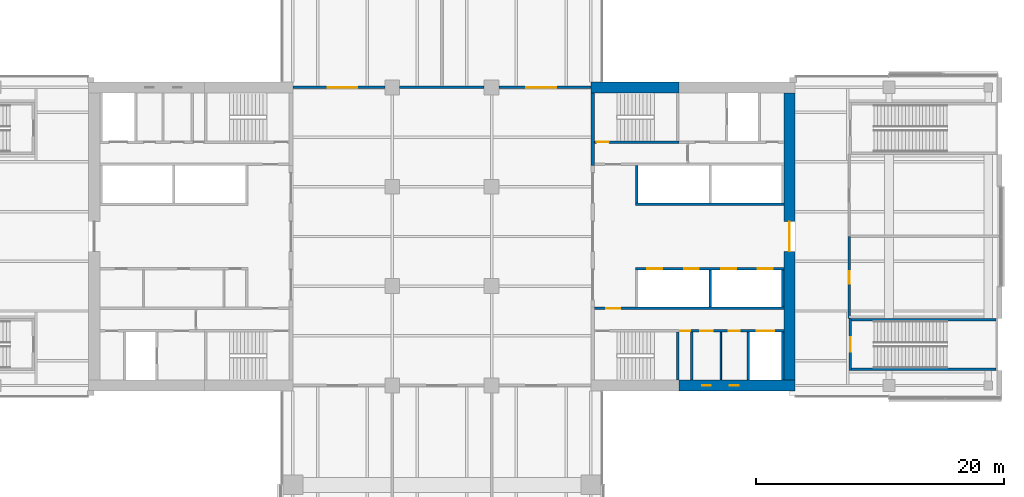
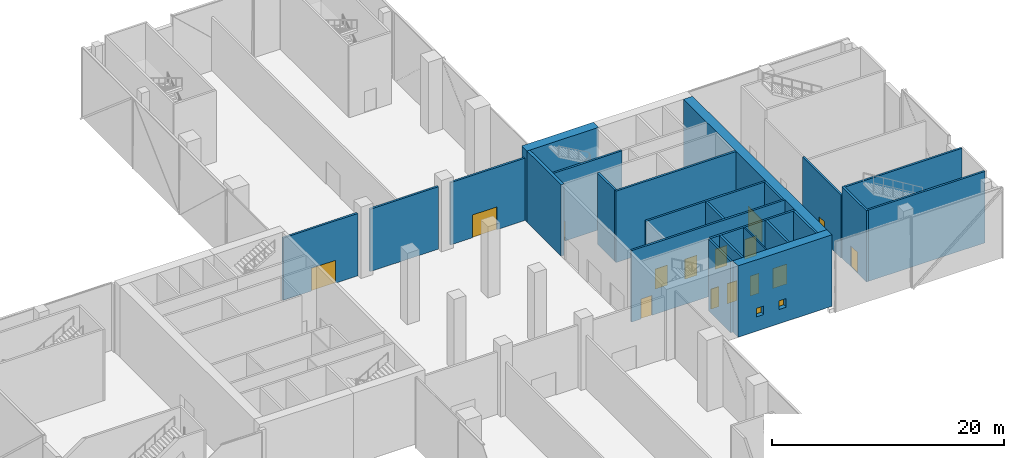
# One storey, part 16 of 25: 24 walls, 15 doors, 2 windows, 17 openings.
"""IFC4 building model written with IfcOpenShell, lengths in metres."""

from ifc_helpers import new_model, si_unit, direction, frame, frame_2d, origin, place, context, subcontext, project, spatial, rectangle, extrude, material, layer, layer_set, constituent, constituent_set, type_object, element, fill, save


model = new_model("IFC4")

# Units and contexts
model_context = context("Model", 3, precision=1e-05, world=origin(), true_north=direction((0.0, 1.0)))
body_context = subcontext(model_context, "Body", "Model", "MODEL_VIEW")
ifc_project = project(units=[si_unit("LENGTHUNIT", "METRE"), si_unit("AREAUNIT", "SQUARE_METRE"), si_unit("VOLUMEUNIT", "CUBIC_METRE"), si_unit("PLANEANGLEUNIT", "RADIAN"), si_unit("MASSUNIT", "GRAM", prefix="KILO")], contexts=[model_context])

# Site, building, storey
site_placement = place(None, origin())
site = spatial("IfcSite", under=ifc_project, at=site_placement, CompositionType="ELEMENT")
building_placement = place(site_placement, origin())
building = spatial("IfcBuilding", under=site, at=building_placement, Name="Crosswind Convention Tower", CompositionType="ELEMENT")
storey_placement = place(building_placement, frame((0.0, 0.0, 17.5)))
storey = spatial("IfcBuildingStorey", under=building, at=storey_placement, Name="L02", CompositionType="ELEMENT", Elevation=17.5)

# Wall
ifc_material_1 = material(Name="Concrete blockwork", Category="masonry")
ifc_layer_1 = layer(ifc_material_1, 0.199951171875)
ifc_layer_set_1 = layer_set([ifc_layer_1], Name="Blockwork partition wall 200")
wall_type_1 = type_object("IfcWallType", Name="Blockwork partition wall 200", PredefinedType="PARTITIONING", material=ifc_layer_set_1)
wall_1_placement = place(storey_placement, frame((145.10009765625, 88.449951171875, 0.0), z_axis=(0.0, 0.0, 1.0), x_axis=(0.0, 1.0, 0.0)))
element("IfcWall", 1, at=wall_1_placement, inside=storey, type_object=wall_type_1, Name="Wall MRSE E L02", PredefinedType="PARTITIONING", context=body_context, shape_type="SweptSolid", body=[
    extrude(rectangle(XDim=3.85009765625, YDim=0.199951171875, at=frame_2d((1.925048828125, 0.0))), origin(), (0.0, 0.0, 1.0), 7.5),
])

# Wall, opening, door
ifc_material_2 = material(Name="Concrete C60/75", Category="concrete")
ifc_layer_2 = layer(ifc_material_2, 0.89990234375)
ifc_layer_set_2 = layer_set([ifc_layer_2], Name="Concrete C60/75")
wall_type_2 = type_object("IfcWallType", Name="Concrete core wall 900", PredefinedType="SHEAR", material=ifc_layer_set_2)
wall_2_placement = place(storey_placement, frame((153.0, 88.449951171875, 0.0), z_axis=(0.0, 0.0, 1.0), x_axis=(0.0, 1.0, 0.0)))
wall_2 = element("IfcWall", 2, at=wall_2_placement, inside=storey, type_object=wall_type_2, Name="Wall O E L02", PredefinedType="SHEAR", context=body_context, shape_type="SweptSolid", body=[
    extrude(rectangle(XDim=23.10009765625, YDim=0.89990234375, at=frame_2d((11.550048828125, 0.0))), origin(), (0.0, 0.0, 1.0), 7.5),
])
opening_1_placement = place(wall_2_placement, frame((10.35009765625, 0.0, 0.0)))
opening_1 = element("IfcOpeningElement", 3, at=opening_1_placement, cuts=wall_2, Name="Opening D100", PredefinedType="OPENING", context=body_context, shape_type="SweptSolid", body=[
    extrude(rectangle(XDim=2.39990234375, YDim=2.39990234375, at=frame_2d((1.199951171875, 1.199951171875))), frame((0.0, 0.4599609375, 0.0), z_axis=(0.0, -1.0, 0.0), x_axis=(1.0, 0.0, 0.0)), (0.0, 0.0, 1.0), 0.919921875),
])
ifc_material_3 = material(Name="Steel fire door with glazed vision panels", Category="steel")
door_type_1 = type_object("IfcDoorType", Name="Fire-rated double door 2400x2400", OperationType="DOUBLE_DOOR_SINGLE_SWING", PredefinedType="DOOR", material=ifc_material_3)
door_1_placement = place(opening_1_placement, frame((2.39990234375, 0.0, 0.0), z_axis=(0.0, 0.0, 1.0), x_axis=(-1.0, 0.0, 0.0)))
door_1 = element("IfcDoor", 4, at=door_1_placement, inside=storey, type_object=door_type_1, Name="Lobby outer door L02", ObjectType="D100", OperationType="DOUBLE_DOOR_SINGLE_SWING", OverallHeight=2.39990234375, OverallWidth=2.39990234375, PredefinedType="DOOR", context=body_context, shape_type="SweptSolid", body=[
    extrude(rectangle(XDim=2.39990234375, YDim=2.39990234375, at=frame_2d((1.199951171875, 1.199951171875))), frame((0.0, 0.02490234375, 0.0), z_axis=(0.0, -1.0, 0.0), x_axis=(1.0, 0.0, 0.0)), (0.0, 0.0, 1.0), 0.050048828125),
])
fill(opening_1, door_1)

# Walls
ifc_material_4 = material(Name="Concrete C50/60", Category="concrete")
ifc_layer_3 = layer(ifc_material_4, 0.300048828125)
ifc_layer_set_3 = layer_set([ifc_layer_3], Name="Concrete C50/60")
wall_type_3 = type_object("IfcWallType", Name="Concrete inner core wall 300", PredefinedType="SHEAR", material=ifc_layer_set_3)
wall_3_placement = place(storey_placement, frame((137.14990234375, 105.699951171875, 0.0), z_axis=(0.0, 0.0, 1.0), x_axis=(0.0, 1.0, 0.0)))
element("IfcWall", 5, at=wall_3_placement, inside=storey, type_object=wall_type_3, Name="Wall EP E L02", PredefinedType="SHEAR", context=body_context, shape_type="SweptSolid", body=[
    extrude(rectangle(XDim=5.85009765625, YDim=0.300048828125, at=frame_2d((2.925048828125, 0.0))), origin(), (0.0, 0.0, 1.0), 7.5),
])
ifc_layer_4 = layer(ifc_material_4, 0.199951171875)
ifc_layer_set_4 = layer_set([ifc_layer_4], Name="Concrete C50/60")
wall_type_4 = type_object("IfcWallType", Name="Concrete shaft and stair wall 200", PredefinedType="SHEAR", material=ifc_layer_set_4)
wall_4_placement = place(storey_placement, frame((140.699951171875, 102.699951171875, 0.0), z_axis=(0.0, 0.0, 1.0), x_axis=(0.0, 1.0, 0.0)))
element("IfcWall", 6, at=wall_4_placement, inside=storey, type_object=wall_type_4, Name="Wall RPEND E L02", PredefinedType="SHEAR", context=body_context, shape_type="SweptSolid", body=[
    extrude(rectangle(XDim=3.0, YDim=0.199951171875, at=frame_2d((1.5, 0.0))), origin(), (0.0, 0.0, 1.0), 7.5),
])
wall_5_placement = place(storey_placement, frame((140.60009765625, 102.60009765625, 0.0), z_axis=(0.0, 0.0, 1.0), x_axis=(1.0, 0.0, 0.0)))
element("IfcWall", 7, at=wall_5_placement, inside=storey, type_object=wall_type_4, Name="Wall RPFRONT E L02", PredefinedType="SHEAR", context=body_context, shape_type="SweptSolid", body=[
    extrude(rectangle(XDim=11.949951171875, YDim=0.199951171875, at=frame_2d((5.97509765625, 0.0))), origin(), (0.0, 0.0, 1.0), 7.5),
])
for number, where, z_axis, x_axis, name in (
    (8, (146.60009765625, 94.300048828125, 0.0), (0.0, 0.0, 1.0), (0.0, 1.0, 0.0), "Wall RMSEP E L02"),
    (9, (152.449951171875, 94.300048828125, 0.0), (0.0, 0.0, 1.0), (0.0, 1.0, 0.0), "Wall RMEAST E L02"),
):
    element("IfcWall", number, at=place(storey_placement, frame(where, z_axis=z_axis, x_axis=x_axis)), inside=storey, type_object=wall_type_4, Name=name, PredefinedType="SHEAR", context=body_context, shape_type="SweptSolid", body=[
        extrude(rectangle(XDim=3.0, YDim=0.199951171875, at=frame_2d((1.5, 0.0))), origin(), (0.0, 0.0, 1.0), 7.5),
    ])

# Wall, openings, doors
wall_6_placement = place(storey_placement, frame((140.60009765625, 97.39990234375, 0.0), z_axis=(0.0, 0.0, 1.0), x_axis=(1.0, 0.0, 0.0)))
wall_6 = element("IfcWall", 10, at=wall_6_placement, inside=storey, type_object=wall_type_4, Name="Wall RMFRONT E L02", PredefinedType="SHEAR", context=body_context, shape_type="SweptSolid", body=[
    extrude(rectangle(XDim=11.949951171875, YDim=0.199951171875, at=frame_2d((5.97509765625, 0.0))), origin(), (0.0, 0.0, 1.0), 7.5),
])
opening_2_placement = place(wall_6_placement, frame((0.949951171875, 0.0, 0.0)))
opening_2 = element("IfcOpeningElement", 11, at=opening_2_placement, cuts=wall_6, Name="Opening LD1", PredefinedType="OPENING", context=body_context, shape_type="SweptSolid", body=[
    extrude(rectangle(XDim=1.199951171875, YDim=2.10009765625, at=frame_2d((0.60009765625, 1.050048828125))), frame((0.0, 0.10986328125, 0.0), z_axis=(0.0, -1.0, 0.0), x_axis=(1.0, 0.0, 0.0)), (0.0, 0.0, 1.0), 0.219970703125),
])
opening_3_placement = place(wall_6_placement, frame((3.89990234375, 0.0, 0.0)))
opening_3 = element("IfcOpeningElement", 12, at=opening_3_placement, cuts=wall_6, Name="Opening LD1", PredefinedType="OPENING", context=body_context, shape_type="SweptSolid", body=[
    extrude(rectangle(XDim=1.199951171875, YDim=2.10009765625, at=frame_2d((0.60009765625, 1.050048828125))), frame((0.0, 0.10986328125, 0.0), z_axis=(0.0, -1.0, 0.0), x_axis=(1.0, 0.0, 0.0)), (0.0, 0.0, 1.0), 0.219970703125),
])
opening_4_placement = place(wall_6_placement, frame((6.89990234375, 0.0, 0.0)))
opening_4 = element("IfcOpeningElement", 13, at=opening_4_placement, cuts=wall_6, Name="Opening LD1", PredefinedType="OPENING", context=body_context, shape_type="SweptSolid", body=[
    extrude(rectangle(XDim=1.199951171875, YDim=2.10009765625, at=frame_2d((0.60009765625, 1.050048828125))), frame((0.0, 0.10986328125, 0.0), z_axis=(0.0, -1.0, 0.0), x_axis=(1.0, 0.0, 0.0)), (0.0, 0.0, 1.0), 0.219970703125),
])
opening_5_placement = place(wall_6_placement, frame((9.824951171875, 0.0, 0.0)))
opening_5 = element("IfcOpeningElement", 14, at=opening_5_placement, cuts=wall_6, Name="Opening LD1", PredefinedType="OPENING", context=body_context, shape_type="SweptSolid", body=[
    extrude(rectangle(XDim=1.199951171875, YDim=2.10009765625, at=frame_2d((0.60009765625, 1.050048828125))), frame((0.0, 0.10986328125, 0.0), z_axis=(0.0, -1.0, 0.0), x_axis=(1.0, 0.0, 0.0)), (0.0, 0.0, 1.0), 0.219970703125),
])
ifc_material_5 = material(Name="Stainless steel", Category="steel")
door_type_2 = type_object("IfcDoorType", Name="Lift landing door 1200x2100", OperationType="DOUBLE_DOOR_SLIDING", PredefinedType="DOOR", material=ifc_material_5)
door_2_placement = place(opening_2_placement, origin())
door_2 = element("IfcDoor", 15, at=door_2_placement, inside=storey, type_object=door_type_2, Name="Landing door H1 L02", ObjectType="LD1", OperationType="DOUBLE_DOOR_SLIDING", OverallHeight=2.10009765625, OverallWidth=1.199951171875, PredefinedType="DOOR", context=body_context, shape_type="SweptSolid", body=[
    extrude(rectangle(XDim=1.199951171875, YDim=2.10009765625, at=frame_2d((0.60009765625, 1.050048828125))), frame((0.0, 0.02490234375, 0.0), z_axis=(0.0, -1.0, 0.0), x_axis=(1.0, 0.0, 0.0)), (0.0, 0.0, 1.0), 0.050048828125),
])
fill(opening_2, door_2)
door_3_placement = place(opening_3_placement, origin())
door_3 = element("IfcDoor", 16, at=door_3_placement, inside=storey, type_object=door_type_2, Name="Landing door H2 L02", ObjectType="LD1", OperationType="DOUBLE_DOOR_SLIDING", OverallHeight=2.10009765625, OverallWidth=1.199951171875, PredefinedType="DOOR", context=body_context, shape_type="SweptSolid", body=[
    extrude(rectangle(XDim=1.199951171875, YDim=2.10009765625, at=frame_2d((0.60009765625, 1.050048828125))), frame((0.0, 0.02490234375, 0.0), z_axis=(0.0, -1.0, 0.0), x_axis=(1.0, 0.0, 0.0)), (0.0, 0.0, 1.0), 0.050048828125),
])
fill(opening_3, door_3)
door_4_placement = place(opening_4_placement, origin())
door_4 = element("IfcDoor", 17, at=door_4_placement, inside=storey, type_object=door_type_2, Name="Landing door H3 L02", ObjectType="LD1", OperationType="DOUBLE_DOOR_SLIDING", OverallHeight=2.10009765625, OverallWidth=1.199951171875, PredefinedType="DOOR", context=body_context, shape_type="SweptSolid", body=[
    extrude(rectangle(XDim=1.199951171875, YDim=2.10009765625, at=frame_2d((0.60009765625, 1.050048828125))), frame((0.0, 0.02490234375, 0.0), z_axis=(0.0, -1.0, 0.0), x_axis=(1.0, 0.0, 0.0)), (0.0, 0.0, 1.0), 0.050048828125),
])
fill(opening_4, door_4)
door_5_placement = place(opening_5_placement, origin())
door_5 = element("IfcDoor", 18, at=door_5_placement, inside=storey, type_object=door_type_2, Name="Landing door H4 L02", ObjectType="LD1", OperationType="DOUBLE_DOOR_SLIDING", OverallHeight=2.10009765625, OverallWidth=1.199951171875, PredefinedType="DOOR", context=body_context, shape_type="SweptSolid", body=[
    extrude(rectangle(XDim=1.199951171875, YDim=2.10009765625, at=frame_2d((0.60009765625, 1.050048828125))), frame((0.0, 0.02490234375, 0.0), z_axis=(0.0, -1.0, 0.0), x_axis=(1.0, 0.0, 0.0)), (0.0, 0.0, 1.0), 0.050048828125),
])
fill(opening_5, door_5)

# Wall, opening, door
wall_7_placement = place(storey_placement, frame((137.300048828125, 107.60009765625, 0.0), z_axis=(0.0, 0.0, 1.0), x_axis=(1.0, 0.0, 0.0)))
wall_7 = element("IfcWall", 19, at=wall_7_placement, inside=storey, type_object=wall_type_4, Name="Wall PCW E L02", PredefinedType="SHEAR", context=body_context, shape_type="SweptSolid", body=[
    extrude(rectangle(XDim=6.800048828125, YDim=0.199951171875, at=frame_2d((3.39990234375, 0.0))), origin(), (0.0, 0.0, 1.0), 7.5),
])
opening_6_placement = place(wall_7_placement, frame((0.14990234375, 0.0, 0.0)))
opening_6 = element("IfcOpeningElement", 20, at=opening_6_placement, cuts=wall_7, Name="Opening D103", PredefinedType="OPENING", context=body_context, shape_type="SweptSolid", body=[
    extrude(rectangle(XDim=1.0, YDim=2.10009765625, at=frame_2d((0.5, 1.050048828125))), frame((0.0, 0.10986328125, 0.0), z_axis=(0.0, -1.0, 0.0), x_axis=(1.0, 0.0, 0.0)), (0.0, 0.0, 1.0), 0.219970703125),
])
ifc_material_6 = material(Name="Steel fire door", Category="steel")
door_type_3 = type_object("IfcDoorType", Name="Fire-rated single door 1000x2100", OperationType="NOTDEFINED", PredefinedType="DOOR", material=ifc_material_6)
door_6_placement = place(opening_6_placement, origin())
door_6 = element("IfcDoor", 21, at=door_6_placement, inside=storey, type_object=door_type_3, Name="Stair ST1 door L02", ObjectType="D103", OperationType="SINGLE_SWING_LEFT", OverallHeight=2.10009765625, OverallWidth=1.0, PredefinedType="DOOR", context=body_context, shape_type="SweptSolid", body=[
    extrude(rectangle(XDim=1.0, YDim=2.10009765625, at=frame_2d((0.5, 1.050048828125))), frame((0.0, 0.02490234375, 0.0), z_axis=(0.0, -1.0, 0.0), x_axis=(1.0, 0.0, 0.0)), (0.0, 0.0, 1.0), 0.050048828125),
])
fill(opening_6, door_6)

wall_8_placement = place(storey_placement, frame((137.300048828125, 94.199951171875, 0.0), z_axis=(0.0, 0.0, 1.0), x_axis=(1.0, 0.0, 0.0)))
wall_8 = element("IfcWall", 22, at=wall_8_placement, inside=storey, type_object=wall_type_4, Name="Wall HM E L02", PredefinedType="SHEAR", context=body_context, shape_type="SweptSolid", body=[
    extrude(rectangle(XDim=15.25, YDim=0.199951171875, at=frame_2d((7.625, 0.0))), origin(), (0.0, 0.0, 1.0), 7.5),
])
opening_7_placement = place(wall_8_placement, frame((0.949951171875, 0.0, 0.0)))
opening_7 = element("IfcOpeningElement", 23, at=opening_7_placement, cuts=wall_8, Name="Opening D104", PredefinedType="OPENING", context=body_context, shape_type="SweptSolid", body=[
    extrude(rectangle(XDim=1.10009765625, YDim=2.10009765625, at=frame_2d((0.550048828125, 1.050048828125))), frame((0.0, 0.10986328125, 0.0), z_axis=(0.0, -1.0, 0.0), x_axis=(1.0, 0.0, 0.0)), (0.0, 0.0, 1.0), 0.219970703125),
])
door_type_4 = type_object("IfcDoorType", Name="Fire-rated single door 1100x2100", OperationType="NOTDEFINED", PredefinedType="DOOR", material=ifc_material_6)
door_7_placement = place(opening_7_placement, frame((1.10009765625, 0.0, 0.0), z_axis=(0.0, 0.0, 1.0), x_axis=(-1.0, 0.0, 0.0)))
door_7 = element("IfcDoor", 24, at=door_7_placement, inside=storey, type_object=door_type_4, Name="Corridor door L02", ObjectType="D104", OperationType="SINGLE_SWING_RIGHT", OverallHeight=2.10009765625, OverallWidth=1.10009765625, PredefinedType="DOOR", context=body_context, shape_type="SweptSolid", body=[
    extrude(rectangle(XDim=1.10009765625, YDim=2.10009765625, at=frame_2d((0.550048828125, 1.050048828125))), frame((0.0, 0.02490234375, 0.0), z_axis=(0.0, -1.0, 0.0), x_axis=(1.0, 0.0, 0.0)), (0.0, 0.0, 1.0), 0.050048828125),
])
fill(opening_7, door_7)

# Walls
for number, where, z_axis, x_axis, name in (
    (25, (144.0, 88.449951171875, 0.0), (0.0, 0.0, 1.0), (0.0, 1.0, 0.0), "Wall MSE E L02"),
    (26, (149.64990234375, 88.449951171875, 0.0), (0.0, 0.0, 1.0), (0.0, 1.0, 0.0), "Wall MFSW E L02"),
    (27, (152.449951171875, 88.449951171875, 0.0), (0.0, 0.0, 1.0), (0.0, 1.0, 0.0), "Wall MFSE E L02"),
):
    element("IfcWall", number, at=place(storey_placement, frame(where, z_axis=z_axis, x_axis=x_axis)), inside=storey, type_object=wall_type_4, Name=name, PredefinedType="SHEAR", context=body_context, shape_type="SweptSolid", body=[
        extrude(rectangle(XDim=3.85009765625, YDim=0.199951171875, at=frame_2d((1.925048828125, 0.0))), origin(), (0.0, 0.0, 1.0), 7.5),
    ])

# Wall, openings, doors
wall_9_placement = place(storey_placement, frame((144.10009765625, 92.39990234375, 0.0), z_axis=(0.0, 0.0, 1.0), x_axis=(1.0, 0.0, 0.0)))
wall_9 = element("IfcWall", 28, at=wall_9_placement, inside=storey, type_object=wall_type_4, Name="Wall MCX E L02", PredefinedType="SHEAR", context=body_context, shape_type="SweptSolid", body=[
    extrude(rectangle(XDim=8.449951171875, YDim=0.199951171875, at=frame_2d((4.22509765625, 0.0))), origin(), (0.0, 0.0, 1.0), 7.5),
])
opening_8_placement = place(wall_9_placement, frame((0.10009765625, 0.0, 0.0)))
opening_8 = element("IfcOpeningElement", 29, at=opening_8_placement, cuts=wall_9, Name="Opening D105", PredefinedType="OPENING", context=body_context, shape_type="SweptSolid", body=[
    extrude(rectangle(XDim=0.800048828125, YDim=2.10009765625, at=frame_2d((0.39990234375, 1.050048828125))), frame((0.0, 0.10986328125, 0.0), z_axis=(0.0, -1.0, 0.0), x_axis=(1.0, 0.0, 0.0)), (0.0, 0.0, 1.0), 0.219970703125),
])
opening_9_placement = place(wall_9_placement, frame((1.69970703125, 0.0, 0.0)))
opening_9 = element("IfcOpeningElement", 30, at=opening_9_placement, cuts=wall_9, Name="Opening D103", PredefinedType="OPENING", context=body_context, shape_type="SweptSolid", body=[
    extrude(rectangle(XDim=1.0, YDim=2.10009765625, at=frame_2d((0.5, 1.050048828125))), frame((0.0, 0.10986328125, 0.0), z_axis=(0.0, -1.0, 0.0), x_axis=(1.0, 0.0, 0.0)), (0.0, 0.0, 1.0), 0.219970703125),
])
opening_10_placement = place(wall_9_placement, frame((3.9873046875, 0.0, 0.0)))
opening_10 = element("IfcOpeningElement", 31, at=opening_10_placement, cuts=wall_9, Name="Opening D106", PredefinedType="OPENING", context=body_context, shape_type="SweptSolid", body=[
    extrude(rectangle(XDim=0.89990234375, YDim=2.10009765625, at=frame_2d((0.449951171875, 1.050048828125))), frame((0.0, 0.10986328125, 0.0), z_axis=(0.0, -1.0, 0.0), x_axis=(1.0, 0.0, 0.0)), (0.0, 0.0, 1.0), 0.219970703125),
])
opening_11_placement = place(wall_9_placement, frame((6.25, 0.0, 0.0)))
opening_11 = element("IfcOpeningElement", 32, at=opening_11_placement, cuts=wall_9, Name="Opening LD2", PredefinedType="OPENING", context=body_context, shape_type="SweptSolid", body=[
    extrude(rectangle(XDim=1.39990234375, YDim=2.10009765625, at=frame_2d((0.699951171875, 1.050048828125))), frame((0.0, 0.10986328125, 0.0), z_axis=(0.0, -1.0, 0.0), x_axis=(1.0, 0.0, 0.0)), (0.0, 0.0, 1.0), 0.219970703125),
])
door_8_placement = place(opening_9_placement, frame((1.0, 0.0, 0.0), z_axis=(0.0, 0.0, 1.0), x_axis=(-1.0, 0.0, 0.0)))
door_8 = element("IfcDoor", 33, at=door_8_placement, inside=storey, type_object=door_type_3, Name="Door to accessible wc L02", ObjectType="D103", OperationType="SINGLE_SWING_LEFT", OverallHeight=2.10009765625, OverallWidth=1.0, PredefinedType="DOOR", context=body_context, shape_type="SweptSolid", body=[
    extrude(rectangle(XDim=1.0, YDim=2.10009765625, at=frame_2d((0.5, 1.050048828125))), frame((0.0, 0.02490234375, 0.0), z_axis=(0.0, -1.0, 0.0), x_axis=(1.0, 0.0, 0.0)), (0.0, 0.0, 1.0), 0.050048828125),
])
fill(opening_9, door_8)
door_type_5 = type_object("IfcDoorType", Name="Lift landing door 1400x2100", OperationType="DOUBLE_DOOR_SLIDING", PredefinedType="DOOR", material=ifc_material_5)
door_9_placement = place(opening_11_placement, origin())
door_9 = element("IfcDoor", 34, at=door_9_placement, inside=storey, type_object=door_type_5, Name="Landing door SV1 L02", ObjectType="LD2", OperationType="DOUBLE_DOOR_SLIDING", OverallHeight=2.10009765625, OverallWidth=1.39990234375, PredefinedType="DOOR", context=body_context, shape_type="SweptSolid", body=[
    extrude(rectangle(XDim=1.39990234375, YDim=2.10009765625, at=frame_2d((0.699951171875, 1.050048828125))), frame((0.0, 0.02490234375, 0.0), z_axis=(0.0, -1.0, 0.0), x_axis=(1.0, 0.0, 0.0)), (0.0, 0.0, 1.0), 0.050048828125),
])
fill(opening_11, door_9)
door_type_6 = type_object("IfcDoorType", Name="Riser access door 800x2100", OperationType="NOTDEFINED", PredefinedType="DOOR", material=ifc_material_6)
door_10_placement = place(opening_8_placement, frame((0.800048828125, 0.0, 0.0), z_axis=(0.0, 0.0, 1.0), x_axis=(-1.0, 0.0, 0.0)))
door_10 = element("IfcDoor", 35, at=door_10_placement, inside=storey, type_object=door_type_6, Name="Riser door L02", ObjectType="D105", OperationType="SINGLE_SWING_LEFT", OverallHeight=2.10009765625, OverallWidth=0.800048828125, PredefinedType="DOOR", context=body_context, shape_type="SweptSolid", body=[
    extrude(rectangle(XDim=0.800048828125, YDim=2.10009765625, at=frame_2d((0.39990234375, 1.050048828125))), frame((0.0, 0.02490234375, 0.0), z_axis=(0.0, -1.0, 0.0), x_axis=(1.0, 0.0, 0.0)), (0.0, 0.0, 1.0), 0.050048828125),
])
fill(opening_8, door_10)
ifc_material_7 = material(Name="Timber door", Category="wood")
door_type_7 = type_object("IfcDoorType", Name="Single leaf door 900x2100", OperationType="NOTDEFINED", PredefinedType="DOOR", material=ifc_material_7)
door_11_placement = place(opening_10_placement, frame((0.89990234375, 0.0, 0.0), z_axis=(0.0, 0.0, 1.0), x_axis=(-1.0, 0.0, 0.0)))
door_11 = element("IfcDoor", 36, at=door_11_placement, inside=storey, type_object=door_type_7, Name="Door to wc L02", ObjectType="D106", OperationType="SINGLE_SWING_LEFT", OverallHeight=2.10009765625, OverallWidth=0.89990234375, PredefinedType="DOOR", context=body_context, shape_type="SweptSolid", body=[
    extrude(rectangle(XDim=0.89990234375, YDim=2.10009765625, at=frame_2d((0.449951171875, 1.050048828125))), frame((0.0, 0.02490234375, 0.0), z_axis=(0.0, -1.0, 0.0), x_axis=(1.0, 0.0, 0.0)), (0.0, 0.0, 1.0), 0.050048828125),
])
fill(opening_10, door_11)

# Wall
ifc_material_8 = material(Name="Gypsum plasterboard partition", Category="gypsum")
ifc_layer_5 = layer(ifc_material_8, 0.125)
ifc_layer_set_5 = layer_set([ifc_layer_5], Name="Drywall partition wall 125")
wall_type_5 = type_object("IfcWallType", Name="Drywall partition wall 125", PredefinedType="PARTITIONING", material=ifc_layer_set_5)
wall_10_placement = place(storey_placement, frame((147.4619140625, 88.449951171875, 0.0), z_axis=(0.0, 0.0, 1.0), x_axis=(0.0, 1.0, 0.0)))
element("IfcWall", 37, at=wall_10_placement, inside=storey, type_object=wall_type_5, Name="Wall MWP1 E L02", PredefinedType="PARTITIONING", context=body_context, shape_type="SweptSolid", body=[
    extrude(rectangle(XDim=3.85009765625, YDim=0.125, at=frame_2d((1.925048828125, 0.0))), origin(), (0.0, 0.0, 1.0), 7.5),
])

# Wall, opening, door
ifc_material_9 = material(Name="Double plasterboard partition", Category="gypsum")
ifc_layer_6 = layer(ifc_material_9, 0.199951171875)
ifc_layer_set_6 = layer_set([ifc_layer_6], Name="HALL WALL 200")
wall_type_6 = type_object("IfcWallType", Name="HALL WALL 200", PredefinedType="PARTITIONING", material=ifc_layer_set_6)
wall_11_placement = place(storey_placement, frame((113.0, 112.0, 0.0), z_axis=(0.0, 0.0, 1.0), x_axis=(1.0, 0.0, 0.0)))
wall_11 = element("IfcWall", 38, at=wall_11_placement, inside=storey, type_object=wall_type_6, Name="Hall Wall 17", PredefinedType="PARTITIONING", context=body_context, shape_type="SweptSolid", body=[
    extrude(rectangle(XDim=7.39990234375, YDim=0.199951171875, at=frame_2d((3.699951171875, 0.0))), origin(), (0.0, 0.0, 1.0), 6.551025390625),
])
opening_12_placement = place(wall_11_placement, frame((2.800048828125, 0.0, 0.0)))
opening_12 = element("IfcOpeningElement", 39, at=opening_12_placement, cuts=wall_11, Name="Opening 02.001", PredefinedType="OPENING", context=body_context, shape_type="SweptSolid", body=[
    extrude(rectangle(XDim=2.39990234375, YDim=2.39990234375, at=frame_2d((1.199951171875, 1.199951171875))), frame((0.0, 0.10986328125, 0.0), z_axis=(0.0, -1.0, 0.0), x_axis=(1.0, 0.0, 0.0)), (0.0, 0.0, 1.0), 0.219970703125),
])
ifc_material_10 = material(Name="Timber fire door", Category="wood")
door_type_8 = type_object("IfcDoorType", Name="BALLROOM DOUBLE DOOR 2400X2400", OperationType="DOUBLE_DOOR_SINGLE_SWING", PredefinedType="DOOR", material=ifc_material_10)
door_12_placement = place(opening_12_placement, origin())
door_12 = element("IfcDoor", 40, at=door_12_placement, inside=storey, type_object=door_type_8, Name="Door 02.001", ObjectType="D8", OperationType="DOUBLE_DOOR_SINGLE_SWING", OverallHeight=2.39990234375, OverallWidth=2.39990234375, PredefinedType="DOOR", context=body_context, shape_type="SweptSolid", body=[
    extrude(rectangle(XDim=2.39990234375, YDim=2.39990234375, at=frame_2d((1.199951171875, 1.199951171875))), frame((0.0, 0.02490234375, 0.0), z_axis=(0.0, -1.0, 0.0), x_axis=(1.0, 0.0, 0.0)), (0.0, 0.0, 1.0), 0.050048828125),
])
fill(opening_12, door_12)

# Wall
wall_12_placement = place(storey_placement, frame((121.60009765625, 112.0, 0.0), z_axis=(0.0, 0.0, 1.0), x_axis=(1.0, 0.0, 0.0)))
element("IfcWall", 41, at=wall_12_placement, inside=storey, type_object=wall_type_6, Name="Hall Wall 18", PredefinedType="PARTITIONING", context=body_context, shape_type="SweptSolid", body=[
    extrude(rectangle(XDim=6.7998046875, YDim=0.199951171875, at=frame_2d((3.39990234375, 0.0))), origin(), (0.0, 0.0, 1.0), 6.555419921875),
])

# Wall, opening, door
wall_13_placement = place(storey_placement, frame((129.60009765625, 112.0, 0.0), z_axis=(0.0, 0.0, 1.0), x_axis=(1.0, 0.0, 0.0)))
wall_13 = element("IfcWall", 42, at=wall_13_placement, inside=storey, type_object=wall_type_6, Name="Hall Wall 19", PredefinedType="PARTITIONING", context=body_context, shape_type="SweptSolid", body=[
    extrude(rectangle(XDim=7.39990234375, YDim=0.199951171875, at=frame_2d((3.699951171875, 0.0))), origin(), (0.0, 0.0, 1.0), 6.551025390625),
])
opening_13_placement = place(wall_13_placement, frame((2.199951171875, 0.0, 0.0)))
opening_13 = element("IfcOpeningElement", 43, at=opening_13_placement, cuts=wall_13, Name="Opening 02.002", PredefinedType="OPENING", context=body_context, shape_type="SweptSolid", body=[
    extrude(rectangle(XDim=2.39990234375, YDim=2.39990234375, at=frame_2d((1.199951171875, 1.199951171875))), frame((0.0, 0.10986328125, 0.0), z_axis=(0.0, -1.0, 0.0), x_axis=(1.0, 0.0, 0.0)), (0.0, 0.0, 1.0), 0.219970703125),
])
door_13_placement = place(opening_13_placement, origin())
door_13 = element("IfcDoor", 44, at=door_13_placement, inside=storey, type_object=door_type_8, Name="Door 02.002", ObjectType="D8", OperationType="DOUBLE_DOOR_SINGLE_SWING", OverallHeight=2.39990234375, OverallWidth=2.39990234375, PredefinedType="DOOR", context=body_context, shape_type="SweptSolid", body=[
    extrude(rectangle(XDim=2.39990234375, YDim=2.39990234375, at=frame_2d((1.199951171875, 1.199951171875))), frame((0.0, 0.02490234375, 0.0), z_axis=(0.0, -1.0, 0.0), x_axis=(1.0, 0.0, 0.0)), (0.0, 0.0, 1.0), 0.050048828125),
])
fill(opening_13, door_13)

wall_14_placement = place(storey_placement, frame((157.800048828125, 93.39990234375, 0.0), z_axis=(0.0, 0.0, 1.0), x_axis=(0.0, 1.0, 0.0)))
wall_14 = element("IfcWall", 45, at=wall_14_placement, inside=storey, type_object=wall_type_6, Name="Hall Wall 39", PredefinedType="PARTITIONING", context=body_context, shape_type="SweptSolid", body=[
    extrude(rectangle(XDim=6.60009765625, YDim=0.199951171875, at=frame_2d((3.300048828125, 0.0))), origin(), (0.0, 0.0, 1.0), 6.636474609375),
])
opening_14_placement = place(wall_14_placement, frame((2.800048828125, 0.0, 0.0)))
opening_14 = element("IfcOpeningElement", 46, at=opening_14_placement, cuts=wall_14, Name="Opening 02.007", PredefinedType="OPENING", context=body_context, shape_type="SweptSolid", body=[
    extrude(rectangle(XDim=1.0, YDim=2.10009765625, at=frame_2d((0.5, 1.050048828125))), frame((0.0, 0.10986328125, 0.0), z_axis=(0.0, -1.0, 0.0), x_axis=(1.0, 0.0, 0.0)), (0.0, 0.0, 1.0), 0.219970703125),
])
door_type_9 = type_object("IfcDoorType", Name="MEETING ROOM DOOR 1000X2100", OperationType="NOTDEFINED", PredefinedType="DOOR", material=ifc_material_10)
door_14_placement = place(opening_14_placement, origin())
door_14 = element("IfcDoor", 47, at=door_14_placement, inside=storey, type_object=door_type_9, Name="Door 02.007", ObjectType="D13", OperationType="SINGLE_SWING_RIGHT", OverallHeight=2.10009765625, OverallWidth=1.0, PredefinedType="DOOR", context=body_context, shape_type="SweptSolid", body=[
    extrude(rectangle(XDim=1.0, YDim=2.10009765625, at=frame_2d((0.5, 1.050048828125))), frame((0.0, 0.02490234375, 0.0), z_axis=(0.0, -1.0, 0.0), x_axis=(1.0, 0.0, 0.0)), (0.0, 0.0, 1.0), 0.050048828125),
])
fill(opening_14, door_14)

# Walls
ifc_material_11 = material(Name="Concrete C40/50", Category="concrete")
ifc_layer_7 = layer(ifc_material_11, 0.199951171875)
ifc_layer_set_7 = layer_set([ifc_layer_7], Name="Concrete C40/50")
wall_type_7 = type_object("IfcWallType", Name="STAIR ENCLOSURE WALL 200", PredefinedType="SOLIDWALL", material=ifc_layer_set_7)
for number, where, z_axis, x_axis, name in (
    (48, (158.0, 89.300048828125, 0.0), (0.0, 0.0, 1.0), (1.0, 0.0, 0.0), "Stair Enclosure Wall 9"),
    (49, (158.0, 93.300048828125, 0.0), (0.0, 0.0, 1.0), (1.0, 0.0, 0.0), "Stair Enclosure Wall 11"),
):
    element("IfcWall", number, at=place(storey_placement, frame(where, z_axis=z_axis, x_axis=x_axis)), inside=storey, type_object=wall_type_7, Name=name, PredefinedType="SOLIDWALL", context=body_context, shape_type="SweptSolid", body=[
        extrude(rectangle(XDim=11.60009765625, YDim=0.199951171875, at=frame_2d((5.800048828125, 0.0))), origin(), (0.0, 0.0, 1.0), 7.5),
    ])

# Wall, opening, door
wall_15_placement = place(storey_placement, frame((157.89990234375, 89.199951171875, 0.0), z_axis=(0.0, 0.0, 1.0), x_axis=(0.0, 1.0, 0.0)))
wall_15 = element("IfcWall", 50, at=wall_15_placement, inside=storey, type_object=wall_type_7, Name="Stair Enclosure Wall 41", PredefinedType="SOLIDWALL", context=body_context, shape_type="SweptSolid", body=[
    extrude(rectangle(XDim=4.199951171875, YDim=0.199951171875, at=frame_2d((2.10009765625, 0.0))), origin(), (0.0, 0.0, 1.0), 7.5),
])
opening_15_placement = place(wall_15_placement, frame((1.5, 0.0, 0.0)))
opening_15 = element("IfcOpeningElement", 51, at=opening_15_placement, cuts=wall_15, Name="Opening 02.009", PredefinedType="OPENING", context=body_context, shape_type="SweptSolid", body=[
    extrude(rectangle(XDim=1.199951171875, YDim=2.199951171875, at=frame_2d((0.60009765625, 1.10009765625))), frame((0.0, 0.10986328125, 0.0), z_axis=(0.0, -1.0, 0.0), x_axis=(1.0, 0.0, 0.0)), (0.0, 0.0, 1.0), 0.219970703125),
])
door_type_10 = type_object("IfcDoorType", Name="STAIR DOOR 1200X2200", OperationType="NOTDEFINED", PredefinedType="DOOR", material=ifc_material_6)
door_15_placement = place(opening_15_placement, frame((1.199951171875, 0.0, 0.0), z_axis=(0.0, 0.0, 1.0), x_axis=(-1.0, 0.0, 0.0)))
door_15 = element("IfcDoor", 52, at=door_15_placement, inside=storey, type_object=door_type_10, Name="Door 02.009", ObjectType="D4", OperationType="SINGLE_SWING_LEFT", OverallHeight=2.199951171875, OverallWidth=1.199951171875, PredefinedType="DOOR", context=body_context, shape_type="SweptSolid", body=[
    extrude(rectangle(XDim=1.199951171875, YDim=2.199951171875, at=frame_2d((0.60009765625, 1.10009765625))), frame((0.0, 0.02490234375, 0.0), z_axis=(0.0, -1.0, 0.0), x_axis=(1.0, 0.0, 0.0)), (0.0, 0.0, 1.0), 0.050048828125),
])
fill(opening_15, door_15)

# Wall
ifc_constituent_1 = constituent(ifc_material_2, Name="Structure")
ifc_material_12 = material(Name="Terracotta rainscreen", Category="ceramic")
ifc_constituent_2 = constituent(ifc_material_12, Name="Facing")
ifc_constituent_set = constituent_set(constituents=[ifc_constituent_1, ifc_constituent_2], Name="Concrete C60/75, Terracotta rainscreen")
wall_type_8 = type_object("IfcWallType", Name="Terracotta rainscreen on concrete core wall 900", PredefinedType="SHEAR", material=ifc_constituent_set)
wall_16_placement = place(storey_placement, frame((137.0, 112.0, 0.0), z_axis=(0.0, 0.0, 1.0), x_axis=(1.0, 0.0, 0.0)))
element("IfcWall", 53, at=wall_16_placement, inside=storey, type_object=wall_type_8, Name="Wall N1 E L02", PredefinedType="SHEAR", context=body_context, shape_type="SweptSolid", body=[
    extrude(rectangle(XDim=7.10009765625, YDim=0.89990234375, at=frame_2d((3.550048828125, 0.0))), origin(), (0.0, 0.0, 1.0), 7.5),
])

# Wall, openings, windows
wall_17_placement = place(storey_placement, frame((144.10009765625, 88.0, 0.0), z_axis=(0.0, 0.0, 1.0), x_axis=(1.0, 0.0, 0.0)))
wall_17 = element("IfcWall", 54, at=wall_17_placement, inside=storey, type_object=wall_type_8, Name="Wall S2 E L02", PredefinedType="SHEAR", context=body_context, shape_type="SweptSolid", body=[
    extrude(rectangle(XDim=9.349853515625, YDim=0.89990234375, at=frame_2d((4.6748046875, 0.0))), origin(), (0.0, 0.0, 1.0), 7.5),
])
opening_16_placement = place(wall_17_placement, frame((1.849853515625, 0.0, 1.5)))
opening_16 = element("IfcOpeningElement", 55, at=opening_16_placement, cuts=wall_17, Name="Opening W2", PredefinedType="OPENING", context=body_context, shape_type="SweptSolid", body=[
    extrude(rectangle(XDim=0.699951171875, YDim=0.89990234375, at=frame_2d((0.35009765625, 0.449951171875))), frame((0.0, 0.4599609375, 0.0), z_axis=(0.0, -1.0, 0.0), x_axis=(1.0, 0.0, 0.0)), (0.0, 0.0, 1.0), 0.919921875),
])
opening_17_placement = place(wall_17_placement, frame((4.087158203125, 0.0, 1.5)))
opening_17 = element("IfcOpeningElement", 56, at=opening_17_placement, cuts=wall_17, Name="Opening W2", PredefinedType="OPENING", context=body_context, shape_type="SweptSolid", body=[
    extrude(rectangle(XDim=0.699951171875, YDim=0.89990234375, at=frame_2d((0.35009765625, 0.449951171875))), frame((0.0, 0.4599609375, 0.0), z_axis=(0.0, -1.0, 0.0), x_axis=(1.0, 0.0, 0.0)), (0.0, 0.0, 1.0), 0.919921875),
])
ifc_material_13 = material(Name="Obscure glass in aluminium frame", Category="aluminium")
window_type = type_object("IfcWindowType", Name="WC window 700x900", PartitioningType="SINGLE_PANEL", PredefinedType="WINDOW", material=ifc_material_13)
window_1_placement = place(opening_16_placement, origin())
window_1 = element("IfcWindow", 57, at=window_1_placement, inside=storey, type_object=window_type, Name="WC window L02", ObjectType="W2", OverallHeight=0.89990234375, OverallWidth=0.699951171875, PartitioningType="SINGLE_PANEL", PredefinedType="WINDOW", context=body_context, shape_type="SweptSolid", body=[
    extrude(rectangle(XDim=0.699951171875, YDim=0.89990234375, at=frame_2d((0.35009765625, 0.449951171875))), frame((0.0, 0.030029296875, 0.0), z_axis=(0.0, -1.0, 0.0), x_axis=(1.0, 0.0, 0.0)), (0.0, 0.0, 1.0), 0.06005859375),
])
fill(opening_16, window_1)
window_2_placement = place(opening_17_placement, origin())
window_2 = element("IfcWindow", 58, at=window_2_placement, inside=storey, type_object=window_type, Name="WC window L02", ObjectType="W2", OverallHeight=0.89990234375, OverallWidth=0.699951171875, PartitioningType="SINGLE_PANEL", PredefinedType="WINDOW", context=body_context, shape_type="SweptSolid", body=[
    extrude(rectangle(XDim=0.699951171875, YDim=0.89990234375, at=frame_2d((0.35009765625, 0.449951171875))), frame((0.0, 0.030029296875, 0.0), z_axis=(0.0, -1.0, 0.0), x_axis=(1.0, 0.0, 0.0)), (0.0, 0.0, 1.0), 0.06005859375),
])
fill(opening_17, window_2)

save(model, "model.ifc")
